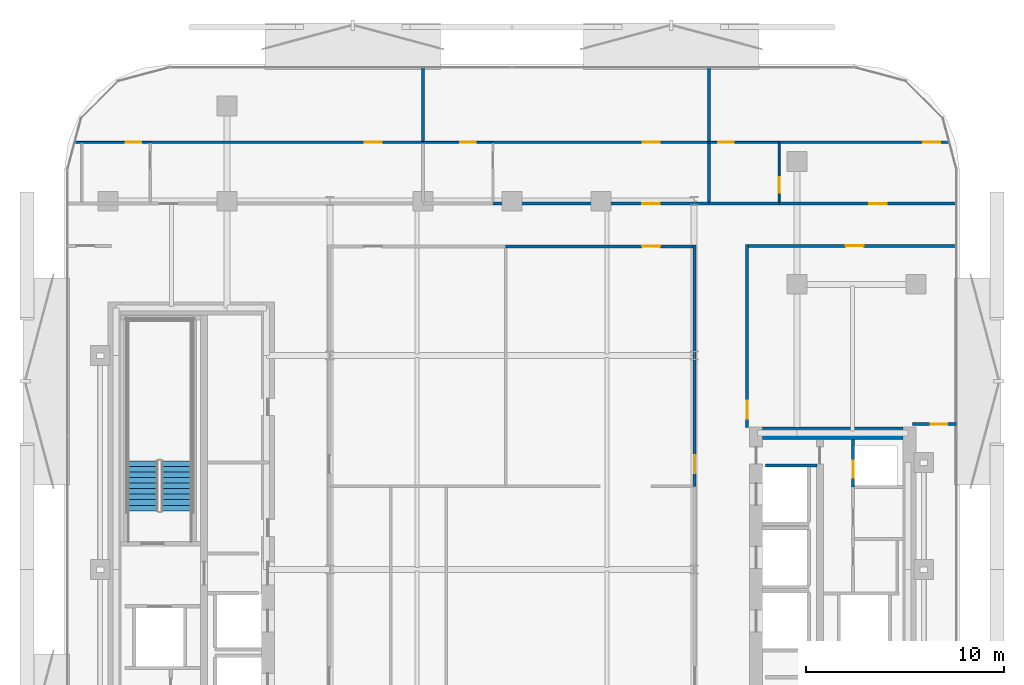
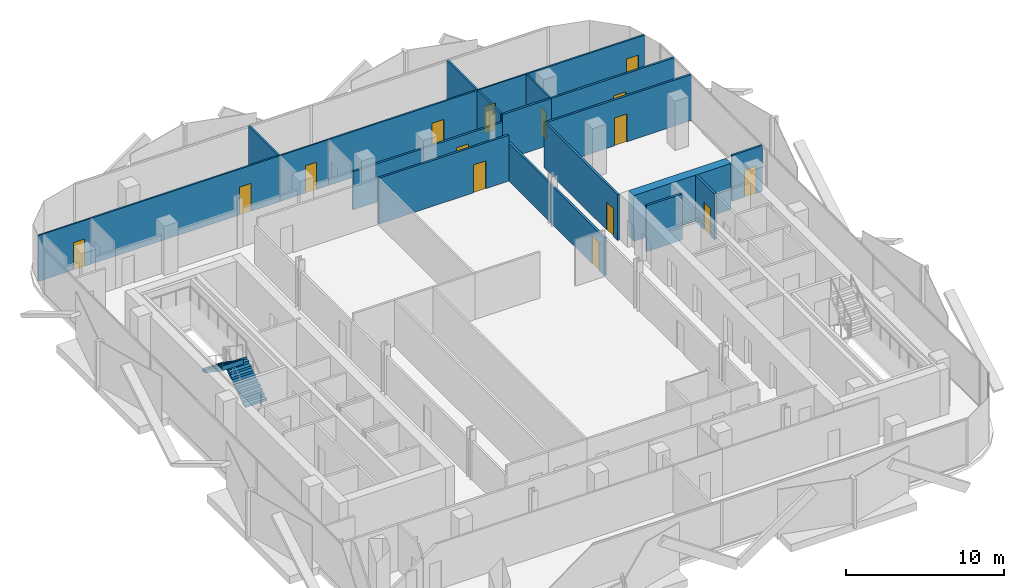
# One storey, part 6 of 16: 21 walls, 15 doors, 2 stair flights, 15 openings, 1 element without a shape of its own.
"""IFC4 building model written with IfcOpenShell, lengths in metres."""

from ifc_helpers import new_model, si_unit, direction, frame, frame_2d, origin, place, context, subcontext, project, spatial, polyline, rectangle, outline, extrude, material, layer, layer_set, type_object, element, fill, aggregate, save


model = new_model("IFC4")

# Units and contexts
model_context = context("Model", 3, precision=1e-05, world=origin(), true_north=direction((0.0, 1.0)))
body_context = subcontext(model_context, "Body", "Model", "MODEL_VIEW")
ifc_project = project(units=[si_unit("LENGTHUNIT", "METRE"), si_unit("AREAUNIT", "SQUARE_METRE"), si_unit("VOLUMEUNIT", "CUBIC_METRE"), si_unit("PLANEANGLEUNIT", "RADIAN"), si_unit("MASSUNIT", "GRAM", prefix="KILO")], contexts=[model_context])

# Site, building, storey
site_placement = place(None, origin())
site = spatial("IfcSite", under=ifc_project, at=site_placement, CompositionType="ELEMENT")
building_placement = place(site_placement, origin())
building = spatial("IfcBuilding", under=site, at=building_placement, Name="Khairoan Windgate Tower", CompositionType="ELEMENT")
storey_placement = place(building_placement, frame((0.0, 0.0, 206.800048828125)))
storey = spatial("IfcBuildingStorey", under=building, at=storey_placement, Name="L48", CompositionType="ELEMENT", Elevation=206.800048828125)

# Wall, opening, door
ifc_material_1 = material(Name="Moisture-Resistant Gypsum Partition", Category="gypsum")
ifc_layer_1 = layer(ifc_material_1, 0.10009765625, Name="Moisture-Resistant Gypsum Partition")
ifc_layer_set_1 = layer_set([ifc_layer_1], Name="Moisture-Resistant Gypsum Partition")
wall_type_1 = type_object("IfcWallType", Name="Bathroom Wet-Area Partition Wall", PredefinedType="PARTITIONING", material=ifc_layer_set_1)
wall_1_placement = place(storey_placement, frame((-22.086181640625, 21.570068359375, 0.0), z_axis=(0.0, 0.0, 1.0), x_axis=(1.0, 0.0, 0.0)))
wall_1 = element("IfcWall", 1, at=wall_1_placement, inside=storey, type_object=wall_type_1, Name="L48 Interior Partition 047", PredefinedType="PARTITIONING", context=body_context, shape_type="SweptSolid", body=[
    extrude(rectangle(XDim=3.826171875, YDim=0.10009765625, at=frame_2d((1.9130859375, 0.0))), origin(), (0.0, 0.0, 1.0), 3.5400390625),
])
opening_1_placement = place(wall_1_placement, frame((2.566162109375, 0.0, 0.0)))
opening_1 = element("IfcOpeningElement", 2, at=opening_1_placement, cuts=wall_1, Name="Opening ID-BTH", PredefinedType="OPENING", context=body_context, shape_type="SweptSolid", body=[
    extrude(rectangle(XDim=0.800048828125, YDim=2.10009765625, at=frame_2d((0.39990234375, 1.050048828125))), frame((0.0, 0.06005859375, 0.0), z_axis=(0.0, -1.0, 0.0), x_axis=(1.0, 0.0, 0.0)), (0.0, 0.0, 1.0), 0.1201171875),
])
ifc_material_2 = material(Name="Teak Veneer Timber Leaf", Category="wood")
door_type_1 = type_object("IfcDoorType", Name="Internal Bathroom Door ID-BTH 800x2100", OperationType="NOTDEFINED", PredefinedType="DOOR", material=ifc_material_2)
door_1_placement = place(opening_1_placement, origin())
door_1 = element("IfcDoor", 3, at=door_1_placement, inside=storey, type_object=door_type_1, Name="L48 L48-39-L48-41 Door", OperationType="SINGLE_SWING_RIGHT", OverallHeight=2.10009765625, OverallWidth=0.800048828125, PredefinedType="DOOR", context=body_context, shape_type="SweptSolid", body=[
    extrude(rectangle(XDim=0.800048828125, YDim=2.10009765625, at=frame_2d((0.39990234375, 1.050048828125))), frame((0.0, 0.02490234375, 0.0), z_axis=(0.0, -1.0, 0.0), x_axis=(1.0, 0.0, 0.0)), (0.0, 0.0, 1.0), 0.050048828125),
])
fill(opening_1, door_1)

wall_2_placement = place(storey_placement, frame((-4.5, 21.570068359375, 0.0), z_axis=(0.0, 0.0, 1.0), x_axis=(1.0, 0.0, 0.0)))
wall_2 = element("IfcWall", 4, at=wall_2_placement, inside=storey, type_object=wall_type_1, Name="L48 Interior Partition 052", PredefinedType="PARTITIONING", context=body_context, shape_type="SweptSolid", body=[
    extrude(rectangle(XDim=3.5400390625, YDim=0.10009765625, at=frame_2d((1.77001953125, 0.0))), origin(), (0.0, 0.0, 1.0), 3.5400390625),
])
opening_2_placement = place(wall_2_placement, frame((1.87548828125, 0.0, 0.0)))
opening_2 = element("IfcOpeningElement", 5, at=opening_2_placement, cuts=wall_2, Name="Opening ID-BTH", PredefinedType="OPENING", context=body_context, shape_type="SweptSolid", body=[
    extrude(rectangle(XDim=0.800048828125, YDim=2.10009765625, at=frame_2d((0.39990234375, 1.050048828125))), frame((0.0, 0.06005859375, 0.0), z_axis=(0.0, -1.0, 0.0), x_axis=(1.0, 0.0, 0.0)), (0.0, 0.0, 1.0), 0.1201171875),
])
door_2_placement = place(opening_2_placement, origin())
door_2 = element("IfcDoor", 6, at=door_2_placement, inside=storey, type_object=door_type_1, Name="L48 L48-42-L48-44 Door", OperationType="SINGLE_SWING_LEFT", OverallHeight=2.10009765625, OverallWidth=0.800048828125, PredefinedType="DOOR", context=body_context, shape_type="SweptSolid", body=[
    extrude(rectangle(XDim=0.800048828125, YDim=2.10009765625, at=frame_2d((0.39990234375, 1.050048828125))), frame((0.0, 0.02490234375, 0.0), z_axis=(0.0, -1.0, 0.0), x_axis=(1.0, 0.0, 0.0)), (0.0, 0.0, 1.0), 0.050048828125),
])
fill(opening_2, door_2)

wall_3_placement = place(storey_placement, frame((13.489990234375, 18.554931640625, 0.0), z_axis=(0.0, 0.0, 1.0), x_axis=(0.0, 1.0, 0.0)))
wall_3 = element("IfcWall", 7, at=wall_3_placement, inside=storey, type_object=wall_type_1, Name="L48 Interior Partition 056", PredefinedType="PARTITIONING", context=body_context, shape_type="SweptSolid", body=[
    extrude(rectangle(XDim=2.965087890625, YDim=0.10009765625, at=frame_2d((1.482421875, 0.0))), origin(), (0.0, 0.0, 1.0), 3.5400390625),
])
opening_3_placement = place(wall_3_placement, frame((0.4599609375, 0.0, 0.0)))
opening_3 = element("IfcOpeningElement", 8, at=opening_3_placement, cuts=wall_3, Name="Opening ID-BTH", PredefinedType="OPENING", context=body_context, shape_type="SweptSolid", body=[
    extrude(rectangle(XDim=0.800048828125, YDim=2.10009765625, at=frame_2d((0.39990234375, 1.050048828125))), frame((0.0, 0.06005859375, 0.0), z_axis=(0.0, -1.0, 0.0), x_axis=(1.0, 0.0, 0.0)), (0.0, 0.0, 1.0), 0.1201171875),
])
door_3_placement = place(opening_3_placement, origin())
door_3 = element("IfcDoor", 9, at=door_3_placement, inside=storey, type_object=door_type_1, Name="L48 L48-45-L48-46 Door", OperationType="SINGLE_SWING_LEFT", OverallHeight=2.10009765625, OverallWidth=0.800048828125, PredefinedType="DOOR", context=body_context, shape_type="SweptSolid", body=[
    extrude(rectangle(XDim=0.800048828125, YDim=2.10009765625, at=frame_2d((0.39990234375, 1.050048828125))), frame((0.0, 0.02490234375, 0.0), z_axis=(0.0, -1.0, 0.0), x_axis=(1.0, 0.0, 0.0)), (0.0, 0.0, 1.0), 0.050048828125),
])
fill(opening_3, door_3)

wall_4_placement = place(storey_placement, frame((9.949951171875, 21.570068359375, 0.0), z_axis=(0.0, 0.0, 1.0), x_axis=(1.0, 0.0, 0.0)))
wall_4 = element("IfcWall", 10, at=wall_4_placement, inside=storey, type_object=wall_type_1, Name="L48 Interior Partition 057", PredefinedType="PARTITIONING", context=body_context, shape_type="SweptSolid", body=[
    extrude(rectangle(XDim=3.5400390625, YDim=0.10009765625, at=frame_2d((1.77001953125, 0.0))), origin(), (0.0, 0.0, 1.0), 3.5400390625),
])
opening_4_placement = place(wall_4_placement, frame((0.4599609375, 0.0, 0.0)))
opening_4 = element("IfcOpeningElement", 11, at=opening_4_placement, cuts=wall_4, Name="Opening ID-BTH", PredefinedType="OPENING", context=body_context, shape_type="SweptSolid", body=[
    extrude(rectangle(XDim=0.800048828125, YDim=2.10009765625, at=frame_2d((0.39990234375, 1.050048828125))), frame((0.0, 0.06005859375, 0.0), z_axis=(0.0, -1.0, 0.0), x_axis=(1.0, 0.0, 0.0)), (0.0, 0.0, 1.0), 0.1201171875),
])
door_4_placement = place(opening_4_placement, origin())
door_4 = element("IfcDoor", 12, at=door_4_placement, inside=storey, type_object=door_type_1, Name="L48 L48-45-L48-47 Door", OperationType="SINGLE_SWING_RIGHT", OverallHeight=2.10009765625, OverallWidth=0.800048828125, PredefinedType="DOOR", context=body_context, shape_type="SweptSolid", body=[
    extrude(rectangle(XDim=0.800048828125, YDim=2.10009765625, at=frame_2d((0.39990234375, 1.050048828125))), frame((0.0, 0.02490234375, 0.0), z_axis=(0.0, -1.0, 0.0), x_axis=(1.0, 0.0, 0.0)), (0.0, 0.0, 1.0), 0.050048828125),
])
fill(opening_4, door_4)

# Walls
ifc_material_3 = material(Name="Concrete C40/50", Category="concrete")
ifc_layer_2 = layer(ifc_material_3, 0.159912109375, Name="Concrete C40/50")
ifc_layer_set_2 = layer_set([ifc_layer_2], Name="Concrete C40/50")
wall_type_2 = type_object("IfcWallType", Name="Core and Hoistway Enclosure Wall", PredefinedType="STANDARD", material=ifc_layer_set_2)
wall_5_placement = place(storey_placement, frame((12.800048828125, 5.25, 0.0), z_axis=(0.0, 0.0, 1.0), x_axis=(1.0, 0.0, 0.0)))
element("IfcWall", 13, at=wall_5_placement, inside=storey, type_object=wall_type_2, Name="L48 Core Shaft Wall SW-ESV-L48", PredefinedType="STANDARD", context=body_context, shape_type="SweptSolid", body=[
    extrude(rectangle(XDim=2.599853515625, YDim=0.159912109375, at=frame_2d((1.2998046875, 0.0))), origin(), (0.0, 0.0, 1.0), 3.5400390625),
])
ifc_material_4 = material(Name="Acoustic Fire-Rated Gypsum Partition", Category="gypsum")
ifc_layer_3 = layer(ifc_material_4, 0.139892578125, Name="Acoustic Fire-Rated Gypsum Partition")
ifc_layer_set_3 = layer_set([ifc_layer_3], Name="Acoustic Fire-Rated Gypsum Partition")
wall_type_3 = type_object("IfcWallType", Name="Inter-Tenancy Compartment Wall", PredefinedType="PARTITIONING", material=ifc_layer_set_3)
wall_6_placement = place(storey_placement, frame((-4.5, 21.570068359375, 0.0), z_axis=(0.0, 0.0, 1.0), x_axis=(0.0, 1.0, 0.0)))
element("IfcWall", 14, at=wall_6_placement, inside=storey, type_object=wall_type_3, Name="L48 Interior Partition 050", PredefinedType="PARTITIONING", context=body_context, shape_type="SweptSolid", body=[
    extrude(rectangle(XDim=3.784912109375, YDim=0.139892578125, at=frame_2d((1.892578125, 0.0))), origin(), (0.0, 0.0, 1.0), 3.5400390625),
])
wall_7_placement = place(storey_placement, frame((9.949951171875, 18.554931640625, 0.0), z_axis=(0.0, 0.0, 1.0), x_axis=(0.0, 1.0, 0.0)))
element("IfcWall", 15, at=wall_7_placement, inside=storey, type_object=wall_type_3, Name="L48 Interior Partition 054", PredefinedType="PARTITIONING", context=body_context, shape_type="SweptSolid", body=[
    extrude(rectangle(XDim=3.01513671875, YDim=0.139892578125, at=frame_2d((1.507568359375, 0.0))), origin(), (0.0, 0.0, 1.0), 3.5400390625),
])
wall_8_placement = place(storey_placement, frame((9.949951171875, 21.570068359375, 0.0), z_axis=(0.0, 0.0, 1.0), x_axis=(0.0, 1.0, 0.0)))
element("IfcWall", 16, at=wall_8_placement, inside=storey, type_object=wall_type_3, Name="L48 Interior Partition 055", PredefinedType="PARTITIONING", context=body_context, shape_type="SweptSolid", body=[
    extrude(rectangle(XDim=3.784912109375, YDim=0.139892578125, at=frame_2d((1.892578125, 0.0))), origin(), (0.0, 0.0, 1.0), 3.5400390625),
])

# Wall, opening, door
wall_9_placement = place(storey_placement, frame((20.239990234375, 7.340087890625, 0.0), z_axis=(0.0, 0.0, 1.0), x_axis=(1.0, 0.0, 0.0)))
wall_9 = element("IfcWall", 17, at=wall_9_placement, inside=storey, type_object=wall_type_3, Name="L48 Interior Partition 067", PredefinedType="PARTITIONING", context=body_context, shape_type="SweptSolid", body=[
    extrude(rectangle(XDim=2.215087890625, YDim=0.139892578125, at=frame_2d((1.107421875, 0.0))), origin(), (0.0, 0.0, 1.0), 3.5400390625),
])
opening_5_placement = place(wall_9_placement, frame((0.905029296875, 0.0, 0.0)))
opening_5 = element("IfcOpeningElement", 18, at=opening_5_placement, cuts=wall_9, Name="Opening FD-SRV", PredefinedType="OPENING", context=body_context, shape_type="SweptSolid", body=[
    extrude(rectangle(XDim=0.85009765625, YDim=2.10009765625, at=frame_2d((0.425048828125, 1.050048828125))), frame((0.0, 0.079833984375, 0.0), z_axis=(0.0, -1.0, 0.0), x_axis=(1.0, 0.0, 0.0)), (0.0, 0.0, 1.0), 0.159912109375),
])
ifc_material_5 = material(Name="Steel S355", Category="steel")
door_type_2 = type_object("IfcDoorType", Name="Core Service and Riser Fire Door FD-SRV 850x2100", OperationType="NOTDEFINED", PredefinedType="DOOR", material=ifc_material_5)
door_5_placement = place(opening_5_placement, origin())
door_5 = element("IfcDoor", 19, at=door_5_placement, inside=storey, type_object=door_type_2, Name="L48 L48-54-L48-56 Door", OperationType="SINGLE_SWING_RIGHT", OverallHeight=2.10009765625, OverallWidth=0.85009765625, PredefinedType="DOOR", context=body_context, shape_type="SweptSolid", body=[
    extrude(rectangle(XDim=0.85009765625, YDim=2.10009765625, at=frame_2d((0.425048828125, 1.050048828125))), frame((0.0, 0.02490234375, 0.0), z_axis=(0.0, -1.0, 0.0), x_axis=(1.0, 0.0, 0.0)), (0.0, 0.0, 1.0), 0.050048828125),
])
fill(opening_5, door_5)

ifc_material_6 = material(Name="Gypsum Stud Partition", Category="gypsum")
ifc_layer_4 = layer(ifc_material_6, 0.1201171875, Name="Gypsum Stud Partition")
ifc_layer_set_4 = layer_set([ifc_layer_4], Name="Gypsum Stud Partition")
wall_type_4 = type_object("IfcWallType", Name="Internal Room Partition Wall", PredefinedType="PARTITIONING", material=ifc_layer_set_4)
wall_10_placement = place(storey_placement, frame((-18.260009765625, 21.570068359375, 0.0), z_axis=(0.0, 0.0, 1.0), x_axis=(1.0, 0.0, 0.0)))
wall_10 = element("IfcWall", 20, at=wall_10_placement, inside=storey, type_object=wall_type_4, Name="L48 Interior Partition 048", PredefinedType="PARTITIONING", context=body_context, shape_type="SweptSolid", body=[
    extrude(rectangle(XDim=13.760009765625, YDim=0.1201171875, at=frame_2d((6.8798828125, 0.0))), origin(), (0.0, 0.0, 1.0), 3.5400390625),
])
opening_6_placement = place(wall_10_placement, frame((10.815673828125, 0.0, 0.0)))
opening_6 = element("IfcOpeningElement", 21, at=opening_6_placement, cuts=wall_10, Name="Opening ID-RM", PredefinedType="OPENING", context=body_context, shape_type="SweptSolid", body=[
    extrude(rectangle(XDim=0.860107421875, YDim=2.14990234375, at=frame_2d((0.43017578125, 1.074951171875))), frame((0.0, 0.070068359375, 0.0), z_axis=(0.0, -1.0, 0.0), x_axis=(1.0, 0.0, 0.0)), (0.0, 0.0, 1.0), 0.14013671875),
])
ifc_material_7 = material(Name="Teak Veneer Timber Leaf", Category="wood")
door_type_3 = type_object("IfcDoorType", Name="Internal Bedroom and Office Door ID-RM 860x2150", OperationType="NOTDEFINED", PredefinedType="DOOR", material=ifc_material_7)
door_6_placement = place(opening_6_placement, origin())
door_6 = element("IfcDoor", 22, at=door_6_placement, inside=storey, type_object=door_type_3, Name="L48 L48-40-L48-41 Door", OperationType="SINGLE_SWING_LEFT", OverallHeight=2.14990234375, OverallWidth=0.860107421875, PredefinedType="DOOR", context=body_context, shape_type="SweptSolid", body=[
    extrude(rectangle(XDim=0.860107421875, YDim=2.14990234375, at=frame_2d((0.43017578125, 1.074951171875))), frame((0.0, 0.02490234375, 0.0), z_axis=(0.0, -1.0, 0.0), x_axis=(1.0, 0.0, 0.0)), (0.0, 0.0, 1.0), 0.050048828125),
])
fill(opening_6, door_6)

wall_11_placement = place(storey_placement, frame((-0.9599609375, 21.570068359375, 0.0), z_axis=(0.0, 0.0, 1.0), x_axis=(1.0, 0.0, 0.0)))
wall_11 = element("IfcWall", 23, at=wall_11_placement, inside=storey, type_object=wall_type_4, Name="L48 Interior Partition 053", PredefinedType="PARTITIONING", context=body_context, shape_type="SweptSolid", body=[
    extrude(rectangle(XDim=10.909912109375, YDim=0.1201171875, at=frame_2d((5.455078125, 0.0))), origin(), (0.0, 0.0, 1.0), 3.5400390625),
])
opening_7_placement = place(wall_11_placement, frame((7.56103515625, 0.0, 0.0)))
opening_7 = element("IfcOpeningElement", 24, at=opening_7_placement, cuts=wall_11, Name="Opening ID-RM", PredefinedType="OPENING", context=body_context, shape_type="SweptSolid", body=[
    extrude(rectangle(XDim=0.860107421875, YDim=2.14990234375, at=frame_2d((0.43017578125, 1.074951171875))), frame((0.0, 0.070068359375, 0.0), z_axis=(0.0, -1.0, 0.0), x_axis=(1.0, 0.0, 0.0)), (0.0, 0.0, 1.0), 0.14013671875),
])
door_7_placement = place(opening_7_placement, origin())
door_7 = element("IfcDoor", 25, at=door_7_placement, inside=storey, type_object=door_type_3, Name="L48 L48-43-L48-44 Door", OperationType="SINGLE_SWING_RIGHT", OverallHeight=2.14990234375, OverallWidth=0.860107421875, PredefinedType="DOOR", context=body_context, shape_type="SweptSolid", body=[
    extrude(rectangle(XDim=0.860107421875, YDim=2.14990234375, at=frame_2d((0.43017578125, 1.074951171875))), frame((0.0, 0.02490234375, 0.0), z_axis=(0.0, -1.0, 0.0), x_axis=(1.0, 0.0, 0.0)), (0.0, 0.0, 1.0), 0.050048828125),
])
fill(opening_7, door_7)

wall_12_placement = place(storey_placement, frame((13.489990234375, 21.570068359375, 0.0), z_axis=(0.0, 0.0, 1.0), x_axis=(1.0, 0.0, 0.0)))
wall_12 = element("IfcWall", 26, at=wall_12_placement, inside=storey, type_object=wall_type_4, Name="L48 Interior Partition 058", PredefinedType="PARTITIONING", context=body_context, shape_type="SweptSolid", body=[
    extrude(rectangle(XDim=8.59619140625, YDim=0.1201171875, at=frame_2d((4.298095703125, 0.0))), origin(), (0.0, 0.0, 1.0), 3.5400390625),
])
opening_8_placement = place(wall_12_placement, frame((7.276123046875, 0.0, 0.0)))
opening_8 = element("IfcOpeningElement", 27, at=opening_8_placement, cuts=wall_12, Name="Opening ID-RM", PredefinedType="OPENING", context=body_context, shape_type="SweptSolid", body=[
    extrude(rectangle(XDim=0.860107421875, YDim=2.14990234375, at=frame_2d((0.43017578125, 1.074951171875))), frame((0.0, 0.070068359375, 0.0), z_axis=(0.0, -1.0, 0.0), x_axis=(1.0, 0.0, 0.0)), (0.0, 0.0, 1.0), 0.14013671875),
])
door_8_placement = place(opening_8_placement, origin())
door_8 = element("IfcDoor", 28, at=door_8_placement, inside=storey, type_object=door_type_3, Name="L48 L48-46-L48-47 Door", OperationType="SINGLE_SWING_LEFT", OverallHeight=2.14990234375, OverallWidth=0.860107421875, PredefinedType="DOOR", context=body_context, shape_type="SweptSolid", body=[
    extrude(rectangle(XDim=0.860107421875, YDim=2.14990234375, at=frame_2d((0.43017578125, 1.074951171875))), frame((0.0, 0.02490234375, 0.0), z_axis=(0.0, -1.0, 0.0), x_axis=(1.0, 0.0, 0.0)), (0.0, 0.0, 1.0), 0.050048828125),
])
fill(opening_8, door_8)

ifc_material_8 = material(Name="Concrete C40/50", Category="concrete")
ifc_layer_5 = layer(ifc_material_8, 0.159912109375, Name="Concrete C40/50")
ifc_layer_set_5 = layer_set([ifc_layer_5], Name="Concrete C40/50")
wall_type_5 = type_object("IfcWallType", Name="Plant and Refuge Compartment Wall", PredefinedType="PARTITIONING", material=ifc_layer_set_5)
wall_13_placement = place(storey_placement, frame((17.22998046875, 4.169921875, 0.0), z_axis=(0.0, 0.0, 1.0), x_axis=(0.0, 1.0, 0.0)))
wall_13 = element("IfcWall", 29, at=wall_13_placement, inside=storey, type_object=wall_type_5, Name="L48 Interior Partition 005", PredefinedType="PARTITIONING", context=body_context, shape_type="SweptSolid", body=[
    extrude(rectangle(XDim=2.380126953125, YDim=0.159912109375, at=frame_2d((1.18994140625, 0.0))), origin(), (0.0, 0.0, 1.0), 3.5400390625),
])
opening_9_placement = place(wall_13_placement, frame((0.4599609375, 0.0, 0.0)))
opening_9 = element("IfcOpeningElement", 30, at=opening_9_placement, cuts=wall_13, Name="Opening FD-SRV", PredefinedType="OPENING", context=body_context, shape_type="SweptSolid", body=[
    extrude(rectangle(XDim=0.85009765625, YDim=2.10009765625, at=frame_2d((0.425048828125, 1.050048828125))), frame((0.0, 0.08984375, 0.0), z_axis=(0.0, -1.0, 0.0), x_axis=(1.0, 0.0, 0.0)), (0.0, 0.0, 1.0), 0.179931640625),
])
door_9_placement = place(opening_9_placement, origin())
door_9 = element("IfcDoor", 31, at=door_9_placement, inside=storey, type_object=door_type_2, Name="L48 L48-17-L48-18 Door", OperationType="SINGLE_SWING_RIGHT", OverallHeight=2.10009765625, OverallWidth=0.85009765625, PredefinedType="DOOR", context=body_context, shape_type="SweptSolid", body=[
    extrude(rectangle(XDim=0.85009765625, YDim=2.10009765625, at=frame_2d((0.425048828125, 1.050048828125))), frame((0.0, 0.02490234375, 0.0), z_axis=(0.0, -1.0, 0.0), x_axis=(1.0, 0.0, 0.0)), (0.0, 0.0, 1.0), 0.050048828125),
])
fill(opening_9, door_9)

ifc_material_9 = material(Name="Acoustic Fire-Rated Gypsum Partition", Category="gypsum")
ifc_layer_6 = layer(ifc_material_9, 0.14990234375, Name="Acoustic Fire-Rated Gypsum Partition")
ifc_layer_set_6 = layer_set([ifc_layer_6], Name="Acoustic Fire-Rated Gypsum Partition")
wall_type_6 = type_object("IfcWallType", Name="Rated Corridor Partition Wall", PredefinedType="PARTITIONING", material=ifc_layer_set_6)
wall_14_placement = place(storey_placement, frame((9.219970703125, 4.199951171875, 0.0), z_axis=(0.0, 0.0, 1.0), x_axis=(0.0, 1.0, 0.0)))
wall_14 = element("IfcWall", 32, at=wall_14_placement, inside=storey, type_object=wall_type_6, Name="L48 Interior Partition 014", PredefinedType="PARTITIONING", context=body_context, shape_type="SweptSolid", body=[
    extrude(rectangle(XDim=12.195068359375, YDim=0.14990234375, at=frame_2d((6.09765625, 0.0))), origin(), (0.0, 0.0, 1.0), 2.951904296875),
])
opening_10_placement = place(wall_14_placement, frame((0.663330078125, 0.0, 0.0)))
opening_10 = element("IfcOpeningElement", 33, at=opening_10_placement, cuts=wall_14, Name="Opening FD-ENT", PredefinedType="OPENING", context=body_context, shape_type="SweptSolid", body=[
    extrude(rectangle(XDim=0.89990234375, YDim=2.14990234375, at=frame_2d((0.449951171875, 1.074951171875))), frame((0.0, 0.0849609375, 0.0), z_axis=(0.0, -1.0, 0.0), x_axis=(1.0, 0.0, 0.0)), (0.0, 0.0, 1.0), 0.169921875),
])
ifc_material_10 = material(Name="Timber Fire-Rated Core", Category="wood")
door_type_4 = type_object("IfcDoorType", Name="Unit and Office Fire Entrance Door FD-ENT 900x2150", OperationType="NOTDEFINED", PredefinedType="DOOR", material=ifc_material_10)
door_10_placement = place(opening_10_placement, origin())
door_10 = element("IfcDoor", 34, at=door_10_placement, inside=storey, type_object=door_type_4, Name="L48 L48-29-L48-38 Door", OperationType="SINGLE_SWING_RIGHT", OverallHeight=2.14990234375, OverallWidth=0.89990234375, PredefinedType="DOOR", context=body_context, shape_type="SweptSolid", body=[
    extrude(rectangle(XDim=0.89990234375, YDim=2.14990234375, at=frame_2d((0.449951171875, 1.074951171875))), frame((0.0, 0.02490234375, 0.0), z_axis=(0.0, -1.0, 0.0), x_axis=(1.0, 0.0, 0.0)), (0.0, 0.0, 1.0), 0.050048828125),
])
fill(opening_10, door_10)

wall_15_placement = place(storey_placement, frame((11.8798828125, 7.159912109375, 0.0), z_axis=(0.0, 0.0, 1.0), x_axis=(0.0, 1.0, 0.0)))
wall_15 = element("IfcWall", 35, at=wall_15_placement, inside=storey, type_object=wall_type_6, Name="L48 Interior Partition 015", PredefinedType="PARTITIONING", context=body_context, shape_type="SweptSolid", body=[
    extrude(rectangle(XDim=9.255126953125, YDim=0.14990234375, at=frame_2d((4.62744140625, 0.0))), origin(), (0.0, 0.0, 1.0), 3.5400390625),
])
opening_11_placement = place(wall_15_placement, frame((0.4599609375, 0.0, 0.0)))
opening_11 = element("IfcOpeningElement", 36, at=opening_11_placement, cuts=wall_15, Name="Opening FD-ENT", PredefinedType="OPENING", context=body_context, shape_type="SweptSolid", body=[
    extrude(rectangle(XDim=0.89990234375, YDim=2.14990234375, at=frame_2d((0.449951171875, 1.074951171875))), frame((0.0, 0.0849609375, 0.0), z_axis=(0.0, -1.0, 0.0), x_axis=(1.0, 0.0, 0.0)), (0.0, 0.0, 1.0), 0.169921875),
])
door_11_placement = place(opening_11_placement, origin())
door_11 = element("IfcDoor", 37, at=door_11_placement, inside=storey, type_object=door_type_4, Name="L48 L48-29-L48-54 Door", OperationType="SINGLE_SWING_LEFT", OverallHeight=2.14990234375, OverallWidth=0.89990234375, PredefinedType="DOOR", context=body_context, shape_type="SweptSolid", body=[
    extrude(rectangle(XDim=0.89990234375, YDim=2.14990234375, at=frame_2d((0.449951171875, 1.074951171875))), frame((0.0, 0.02490234375, 0.0), z_axis=(0.0, -1.0, 0.0), x_axis=(1.0, 0.0, 0.0)), (0.0, 0.0, 1.0), 0.050048828125),
])
fill(opening_11, door_11)

wall_16_placement = place(storey_placement, frame((-0.320068359375, 16.320068359375, 0.0), z_axis=(0.0, 0.0, 1.0), x_axis=(1.0, 0.0, 0.0)))
wall_16 = element("IfcWall", 38, at=wall_16_placement, inside=storey, type_object=wall_type_6, Name="L48 Interior Partition 017", PredefinedType="PARTITIONING", context=body_context, shape_type="SweptSolid", body=[
    extrude(rectangle(XDim=9.465087890625, YDim=0.14990234375, at=frame_2d((4.732421875, 0.0))), origin(), (0.0, 0.0, 1.0), 3.5400390625),
])
opening_12_placement = place(wall_16_placement, frame((6.89794921875, 0.0, 0.0)))
opening_12 = element("IfcOpeningElement", 39, at=opening_12_placement, cuts=wall_16, Name="Opening FD-ENT", PredefinedType="OPENING", context=body_context, shape_type="SweptSolid", body=[
    extrude(rectangle(XDim=0.89990234375, YDim=2.14990234375, at=frame_2d((0.449951171875, 1.074951171875))), frame((0.0, 0.0849609375, 0.0), z_axis=(0.0, -1.0, 0.0), x_axis=(1.0, 0.0, 0.0)), (0.0, 0.0, 1.0), 0.169921875),
])
door_12_placement = place(opening_12_placement, origin())
door_12 = element("IfcDoor", 40, at=door_12_placement, inside=storey, type_object=door_type_4, Name="L48 L48-30-L48-38 Door", OperationType="SINGLE_SWING_LEFT", OverallHeight=2.14990234375, OverallWidth=0.89990234375, PredefinedType="DOOR", context=body_context, shape_type="SweptSolid", body=[
    extrude(rectangle(XDim=0.89990234375, YDim=2.14990234375, at=frame_2d((0.449951171875, 1.074951171875))), frame((0.0, 0.02490234375, 0.0), z_axis=(0.0, -1.0, 0.0), x_axis=(1.0, 0.0, 0.0)), (0.0, 0.0, 1.0), 0.050048828125),
])
fill(opening_12, door_12)

wall_17_placement = place(storey_placement, frame((-0.9599609375, 18.47998046875, 0.0), z_axis=(0.0, 0.0, 1.0), x_axis=(1.0, 0.0, 0.0)))
wall_17 = element("IfcWall", 41, at=wall_17_placement, inside=storey, type_object=wall_type_6, Name="L48 Interior Partition 021", PredefinedType="PARTITIONING", context=body_context, shape_type="SweptSolid", body=[
    extrude(rectangle(XDim=10.909912109375, YDim=0.14990234375, at=frame_2d((5.455078125, 0.0))), origin(), (0.0, 0.0, 1.0), 2.951904296875),
])
opening_13_placement = place(wall_17_placement, frame((7.530029296875, 0.0, 0.0)))
opening_13 = element("IfcOpeningElement", 42, at=opening_13_placement, cuts=wall_17, Name="Opening FD-ENT", PredefinedType="OPENING", context=body_context, shape_type="SweptSolid", body=[
    extrude(rectangle(XDim=0.89990234375, YDim=2.14990234375, at=frame_2d((0.449951171875, 1.074951171875))), frame((0.0, 0.0849609375, 0.0), z_axis=(0.0, -1.0, 0.0), x_axis=(1.0, 0.0, 0.0)), (0.0, 0.0, 1.0), 0.169921875),
])
door_13_placement = place(opening_13_placement, origin())
door_13 = element("IfcDoor", 43, at=door_13_placement, inside=storey, type_object=door_type_4, Name="L48 L48-30-L48-43 Door", OperationType="SINGLE_SWING_LEFT", OverallHeight=2.14990234375, OverallWidth=0.89990234375, PredefinedType="DOOR", context=body_context, shape_type="SweptSolid", body=[
    extrude(rectangle(XDim=0.89990234375, YDim=2.14990234375, at=frame_2d((0.449951171875, 1.074951171875))), frame((0.0, 0.02490234375, 0.0), z_axis=(0.0, -1.0, 0.0), x_axis=(1.0, 0.0, 0.0)), (0.0, 0.0, 1.0), 0.050048828125),
])
fill(opening_13, door_13)

# Wall
wall_18_placement = place(storey_placement, frame((9.949951171875, 18.47998046875, 0.0), z_axis=(0.0, 0.0, 1.0), x_axis=(1.0, 0.0, 0.0)))
element("IfcWall", 44, at=wall_18_placement, inside=storey, type_object=wall_type_6, Name="L48 Interior Partition 022", PredefinedType="PARTITIONING", context=body_context, shape_type="SweptSolid", body=[
    extrude(rectangle(XDim=3.5400390625, YDim=0.14990234375, at=frame_2d((1.77001953125, 0.0))), origin(), (0.0, 0.0, 1.0), 3.5400390625),
])

# Wall, opening, door
wall_19_placement = place(storey_placement, frame((13.489990234375, 18.47998046875, 0.0), z_axis=(0.0, 0.0, 1.0), x_axis=(1.0, 0.0, 0.0)))
wall_19 = element("IfcWall", 45, at=wall_19_placement, inside=storey, type_object=wall_type_6, Name="L48 Interior Partition 023", PredefinedType="PARTITIONING", context=body_context, shape_type="SweptSolid", body=[
    extrude(rectangle(XDim=8.965087890625, YDim=0.14990234375, at=frame_2d((4.482421875, 0.0))), origin(), (0.0, 0.0, 1.0), 3.5400390625),
])
opening_14_placement = place(wall_19_placement, frame((4.54296875, 0.0, 0.0)))
opening_14 = element("IfcOpeningElement", 46, at=opening_14_placement, cuts=wall_19, Name="Opening FD-ENT", PredefinedType="OPENING", context=body_context, shape_type="SweptSolid", body=[
    extrude(rectangle(XDim=0.89990234375, YDim=2.14990234375, at=frame_2d((0.449951171875, 1.074951171875))), frame((0.0, 0.0849609375, 0.0), z_axis=(0.0, -1.0, 0.0), x_axis=(1.0, 0.0, 0.0)), (0.0, 0.0, 1.0), 0.169921875),
])
door_14_placement = place(opening_14_placement, origin())
door_14 = element("IfcDoor", 47, at=door_14_placement, inside=storey, type_object=door_type_4, Name="L48 L48-30-L48-46 Door", OperationType="SINGLE_SWING_RIGHT", OverallHeight=2.14990234375, OverallWidth=0.89990234375, PredefinedType="DOOR", context=body_context, shape_type="SweptSolid", body=[
    extrude(rectangle(XDim=0.89990234375, YDim=2.14990234375, at=frame_2d((0.449951171875, 1.074951171875))), frame((0.0, 0.02490234375, 0.0), z_axis=(0.0, -1.0, 0.0), x_axis=(1.0, 0.0, 0.0)), (0.0, 0.0, 1.0), 0.050048828125),
])
fill(opening_14, door_14)

wall_20_placement = place(storey_placement, frame((11.955078125, 16.340087890625, 0.0), z_axis=(0.0, 0.0, 1.0), x_axis=(1.0, 0.0, 0.0)))
wall_20 = element("IfcWall", 48, at=wall_20_placement, inside=storey, type_object=wall_type_6, Name="L48 Interior Partition 024", PredefinedType="PARTITIONING", context=body_context, shape_type="SweptSolid", body=[
    extrude(rectangle(XDim=10.5, YDim=0.14990234375, at=frame_2d((5.25, 0.0))), origin(), (0.0, 0.0, 1.0), 3.5400390625),
])
opening_15_placement = place(wall_20_placement, frame((4.90087890625, 0.0, 0.0)))
opening_15 = element("IfcOpeningElement", 49, at=opening_15_placement, cuts=wall_20, Name="Opening FD-ENT", PredefinedType="OPENING", context=body_context, shape_type="SweptSolid", body=[
    extrude(rectangle(XDim=0.89990234375, YDim=2.14990234375, at=frame_2d((0.449951171875, 1.074951171875))), frame((0.0, 0.0849609375, 0.0), z_axis=(0.0, -1.0, 0.0), x_axis=(1.0, 0.0, 0.0)), (0.0, 0.0, 1.0), 0.169921875),
])
door_15_placement = place(opening_15_placement, origin())
door_15 = element("IfcDoor", 50, at=door_15_placement, inside=storey, type_object=door_type_4, Name="L48 L48-30-L48-54 Door", OperationType="SINGLE_SWING_LEFT", OverallHeight=2.14990234375, OverallWidth=0.89990234375, PredefinedType="DOOR", context=body_context, shape_type="SweptSolid", body=[
    extrude(rectangle(XDim=0.89990234375, YDim=2.14990234375, at=frame_2d((0.449951171875, 1.074951171875))), frame((0.0, 0.02490234375, 0.0), z_axis=(0.0, -1.0, 0.0), x_axis=(1.0, 0.0, 0.0)), (0.0, 0.0, 1.0), 0.050048828125),
])
fill(opening_15, door_15)

# Wall
ifc_material_11 = material(Name="Concrete C60/75", Category="concrete")
ifc_layer_7 = layer(ifc_material_11, 0.64990234375, Name="Concrete C60/75")
ifc_layer_set_7 = layer_set([ifc_layer_7], Name="Concrete C60/75")
wall_type_7 = type_object("IfcWallType", Name="Shear Wall CW-E2 650mm", PredefinedType="SHEAR", material=ifc_layer_set_7)
wall_21_placement = place(storey_placement, frame((12.64990234375, 6.875, 0.0), z_axis=(0.0, 0.0, 1.0), x_axis=(1.0, 0.0, 0.0)))
element("IfcWall", 51, at=wall_21_placement, inside=storey, type_object=wall_type_7, Name="E Core North Shear Wall L48", PredefinedType="SHEAR", context=body_context, shape_type="SweptSolid", body=[
    extrude(rectangle(XDim=7.10009765625, YDim=0.64990234375, at=frame_2d((3.550048828125, 0.0))), origin(), (0.0, 0.0, 1.0), 3.5400390625),
])

# Stair, stair flights
ifc_material_12 = material(Name="Concrete C40/50", Category="concrete")
stair_type = type_object("IfcStairType", Name="Tower Core Dog-Leg Stair ST-T1 1560mm", PredefinedType="HALF_TURN_STAIR", material=ifc_material_12)
stair_placement = place(storey_placement, origin())
stair = element("IfcStair", 52, at=stair_placement, inside=storey, type_object=stair_type, Name="L48 Stair ST2", PredefinedType="HALF_TURN_STAIR")
ifc_material_13 = material(Name="Concrete C40/50", Category="concrete")
ifc_layer_8 = layer(ifc_material_13, 0.14990234375, Name="Concrete C40/50")
ifc_layer_set_8 = layer_set([ifc_layer_8], Name="Concrete C40/50")
stair_flight_type = type_object("IfcStairFlightType", Name="Tower Core Stair Flight STF-1560", PredefinedType="STRAIGHT", material=ifc_layer_set_8)
stair_flight_1_placement = place(storey_placement, frame((-16.929931640625, 2.9599609375, 0.0), z_axis=(0.0, 0.0, 1.0), x_axis=(0.0, 1.0, 0.0)))
stair_flight_1 = element("IfcStairFlight", 53, at=stair_flight_1_placement, type_object=stair_flight_type, Name="ST2 flight 1", NumberOfRisers=10, NumberOfTreads=9, PredefinedType="STRAIGHT", RiserHeight=0.19, TreadLength=0.28, context=body_context, shape_type="SweptSolid", body=[
    extrude(outline(polyline([(-0.00390625, 0.0), (-0.00390625, 0.18994140625), (0.0, 0.18994140625), (0.280029296875, 0.18994140625), (0.280029296875, 0.3798828125), (0.56005859375, 0.3798828125), (0.56005859375, 0.570068359375), (0.840087890625, 0.570068359375), (0.840087890625, 0.760009765625), (1.1201171875, 0.760009765625), (1.1201171875, 0.949951171875), (1.39990234375, 0.949951171875), (1.39990234375, 1.139892578125), (1.679931640625, 1.139892578125), (1.679931640625, 1.330078125), (1.9599609375, 1.330078125), (1.9599609375, 1.52001953125), (2.239990234375, 1.52001953125), (2.239990234375, 1.7099609375), (2.52001953125, 1.7099609375), (2.52001953125, 1.89990234375), (2.52392578125, 1.89990234375), (2.52392578125, 1.52880859375), (0.266845703125, 0.0), (-0.00390625, 0.0)])), frame((0.0, 0.780029296875, 0.0), z_axis=(0.0, -1.0, 0.0), x_axis=(1.0, 0.0, 0.0)), (0.0, 0.0, 1.0), 1.56005859375),
])
stair_flight_2_placement = place(storey_placement, frame((-18.639892578125, 5.47998046875, 1.89990234375), z_axis=(0.0, 0.0, 1.0), x_axis=(0.0, -1.0, 0.0)))
stair_flight_2 = element("IfcStairFlight", 54, at=stair_flight_2_placement, type_object=stair_flight_type, Name="ST2 flight 2", NumberOfRisers=10, NumberOfTreads=9, PredefinedType="STRAIGHT", RiserHeight=0.19, TreadLength=0.28, context=body_context, shape_type="SweptSolid", body=[
    extrude(outline(polyline([(-0.00390625, 0.0), (-0.00390625, 0.18994140625), (0.0, 0.18994140625), (0.280029296875, 0.18994140625), (0.280029296875, 0.3798828125), (0.56005859375, 0.3798828125), (0.56005859375, 0.570068359375), (0.840087890625, 0.570068359375), (0.840087890625, 0.760009765625), (1.1201171875, 0.760009765625), (1.1201171875, 0.949951171875), (1.39990234375, 0.949951171875), (1.39990234375, 1.139892578125), (1.679931640625, 1.139892578125), (1.679931640625, 1.330078125), (1.9599609375, 1.330078125), (1.9599609375, 1.52001953125), (2.239990234375, 1.52001953125), (2.239990234375, 1.7099609375), (2.52001953125, 1.7099609375), (2.52001953125, 1.89990234375), (2.52392578125, 1.89990234375), (2.52392578125, 1.52880859375), (0.266845703125, 0.0), (-0.00390625, 0.0)])), frame((0.0, 0.780029296875, 0.0), z_axis=(0.0, -1.0, 0.0), x_axis=(1.0, 0.0, 0.0)), (0.0, 0.0, 1.0), 1.56005859375),
])
aggregate(stair, [stair_flight_1, stair_flight_2])

save(model, "model.ifc")
